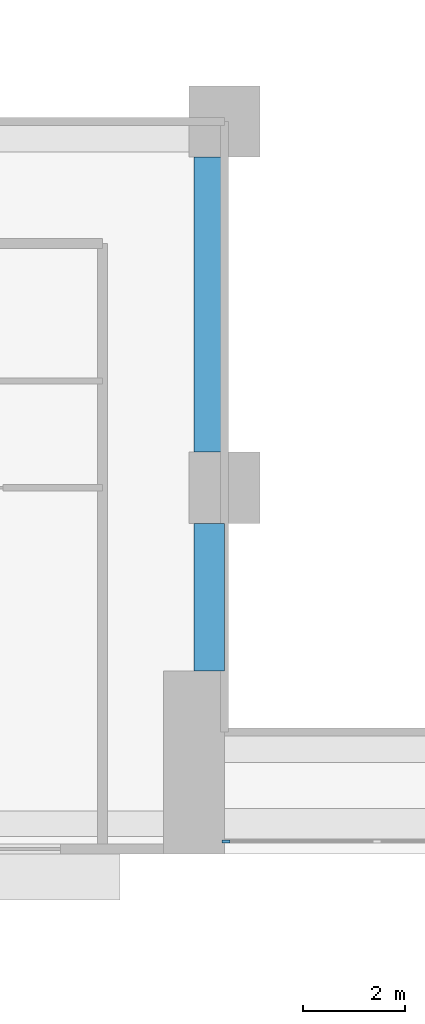
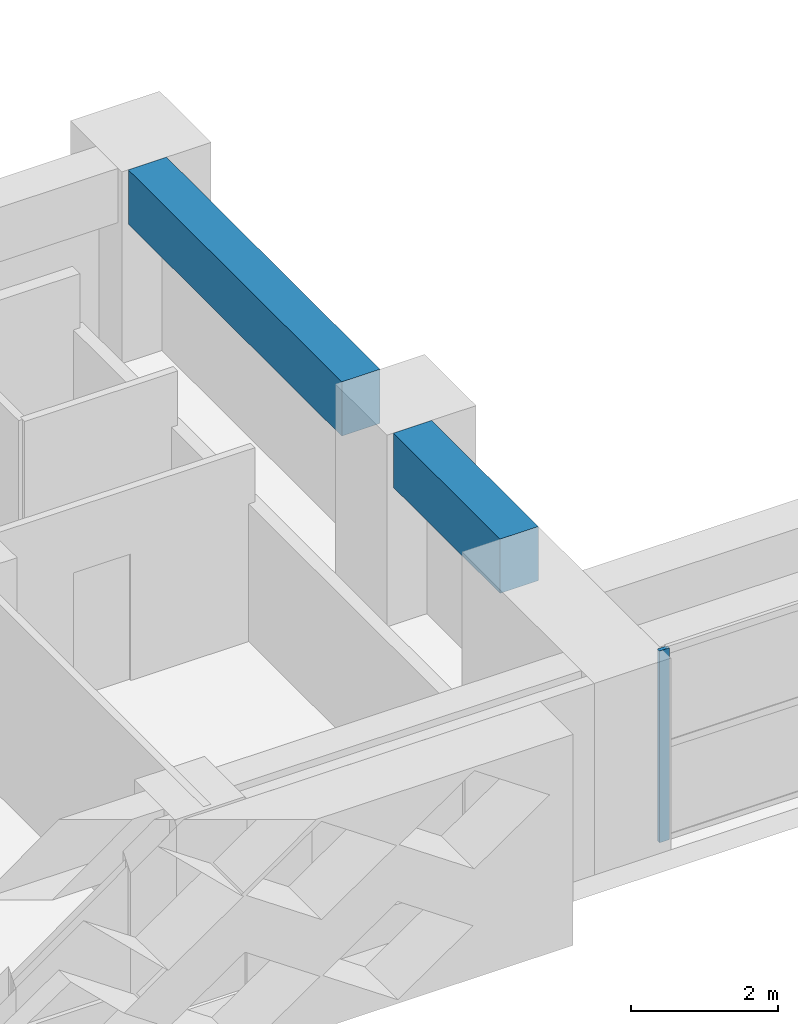
# One storey, part 2 of 16: 2 beams, 1 member, 1 element without a shape of its own.
"""IFC4 building model written with IfcOpenShell, lengths in metres."""

from ifc_helpers import new_model, si_unit, direction, frame, origin, origin_2d, place, context, subcontext, project, spatial, rectangle, extrude, source, transform, mapped, material, layer, layer_set, material_profile, profile_set, type_object, element, aggregate, save


model = new_model("IFC4")

# Units and contexts
model_context = context("Model", 3, precision=1e-05, world=origin(), true_north=direction((0.0, 1.0)))
body_context = subcontext(model_context, "Body", "Model", "MODEL_VIEW")
ifc_project = project(units=[si_unit("LENGTHUNIT", "METRE"), si_unit("AREAUNIT", "SQUARE_METRE"), si_unit("VOLUMEUNIT", "CUBIC_METRE"), si_unit("PLANEANGLEUNIT", "RADIAN"), si_unit("MASSUNIT", "GRAM", prefix="KILO")], contexts=[model_context])

# Site, building, storey
site_placement = place(None, origin())
site = spatial("IfcSite", under=ifc_project, at=site_placement, CompositionType="ELEMENT")
building_placement = place(site_placement, origin())
building = spatial("IfcBuilding", under=site, at=building_placement, Name="Saffron Iwan Residences", CompositionType="ELEMENT")
storey_placement = place(building_placement, frame((0.0, 0.0, 44.5)))
storey = spatial("IfcBuildingStorey", under=building, at=storey_placement, Name="L10", CompositionType="ELEMENT", Elevation=44.5)

# Beams
ifc_material_1 = material(Name="Concrete C60/75", Category="concrete")
ifc_material_profile_1 = material_profile(ifc_material_1, rectangle(XDim=0.60009765625, YDim=0.89990234375, at=origin_2d()), Name="RC 600x900")
ifc_profile_set_1 = profile_set([ifc_material_profile_1], Name="Concrete C60/75")
beam_type = type_object("IfcBeamType", Name="BEAM RC 600x900 C60/75 TOP 3180", PredefinedType="BEAM", material=ifc_profile_set_1)
shared_shape_1 = source(origin(), body_context, "Body", "SweptSolid", [
    extrude(rectangle(XDim=0.60009765625, YDim=0.89990234375, at=origin_2d()), origin(), (0.0, 0.0, 1.0), 2.900146484375),
])
beam_1_placement = place(storey_placement, frame((42.89990234375, 37.199951171875, 2.72998046875), z_axis=(0.0, 1.0, 0.0), x_axis=(-1.0, 0.0, 0.0)))
element("IfcBeam", 1, at=beam_1_placement, inside=storey, type_object=beam_type, Name="Atrium edge beam", PredefinedType="BEAM", context=body_context, shape_type="MappedRepresentation", body=[
    mapped(shared_shape_1, transform((0.0, 0.0, 0.0))),
])
shared_shape_2 = source(origin(), body_context, "Body", "SweptSolid", [
    extrude(rectangle(XDim=0.60009765625, YDim=0.89990234375, at=origin_2d()), origin(), (0.0, 0.0, 1.0), 5.800048828125),
])
beam_2_placement = place(storey_placement, frame((42.89990234375, 41.5, 2.72998046875), z_axis=(0.0, 1.0, 0.0), x_axis=(-1.0, 0.0, 0.0)))
element("IfcBeam", 2, at=beam_2_placement, inside=storey, type_object=beam_type, Name="Atrium edge beam", PredefinedType="BEAM", context=body_context, shape_type="MappedRepresentation", body=[
    mapped(shared_shape_2, transform((0.0, 0.0, 0.0))),
])

# Curtain wall, member
ifc_material_2 = material(Name="Clear glass, laminated double glazed", Category="glass")
ifc_layer = layer(ifc_material_2, 0.199951171875)
ifc_layer_set = layer_set([ifc_layer], Name="Clear glass, laminated double glazed")
curtain_wall_type = type_object("IfcCurtainWallType", Name="CW-B IWAN PORTAL", PredefinedType="NOTDEFINED", material=ifc_layer_set)
curtain_wall_placement = place(storey_placement, origin())
curtain_wall = element("IfcCurtainWall", 3, at=curtain_wall_placement, inside=storey, type_object=curtain_wall_type, Name="Iwan portal glazing L10.1", PredefinedType="NOTDEFINED")
ifc_material_3 = material(Name="Aluminium 6063-T6", Category="aluminium")
ifc_material_profile_2 = material_profile(ifc_material_3, rectangle(XDim=0.06005859375, YDim=0.159912109375, at=origin_2d()), Name="CW-B MULLION 60 x 160")
ifc_profile_set_2 = profile_set([ifc_material_profile_2], Name="Aluminium 6063-T6")
member_type = type_object("IfcMemberType", Name="CW-B MULLION 60 x 160", PredefinedType="MULLION", material=ifc_profile_set_2)
shared_shape_3 = source(origin(), body_context, "Body", "SweptSolid", [
    extrude(rectangle(XDim=0.06005859375, YDim=0.159912109375, at=origin_2d()), origin(), (0.0, 0.0, 1.0), 3.179931640625),
])
member_placement = place(storey_placement, frame((43.22998046875, 33.85009765625, 0.0), z_axis=(0.0, 0.0, 1.0), x_axis=(0.0, 1.0, 0.0)))
member = element("IfcMember", 4, at=member_placement, type_object=member_type, Name="CW-B mullion 1", PredefinedType="MULLION", context=body_context, shape_type="MappedRepresentation", body=[
    mapped(shared_shape_3, transform((0.0, 0.0, 0.0))),
])
aggregate(curtain_wall, [member])

save(model, "model.ifc")
